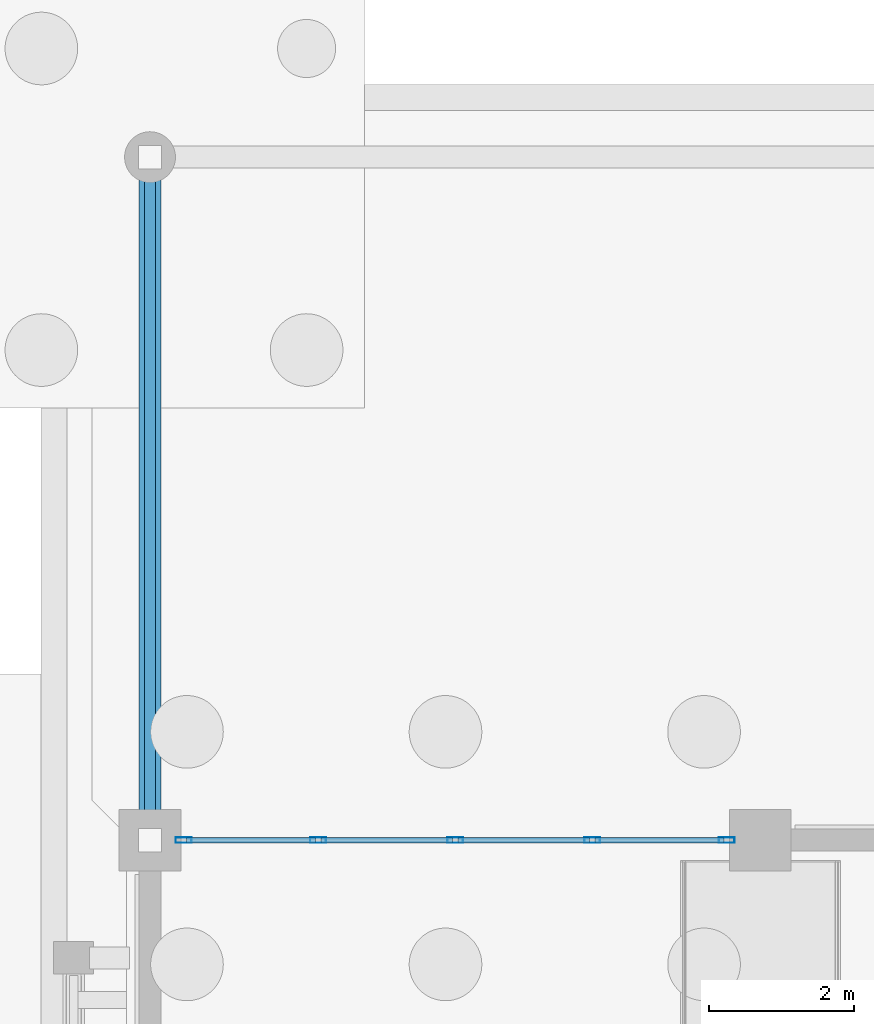
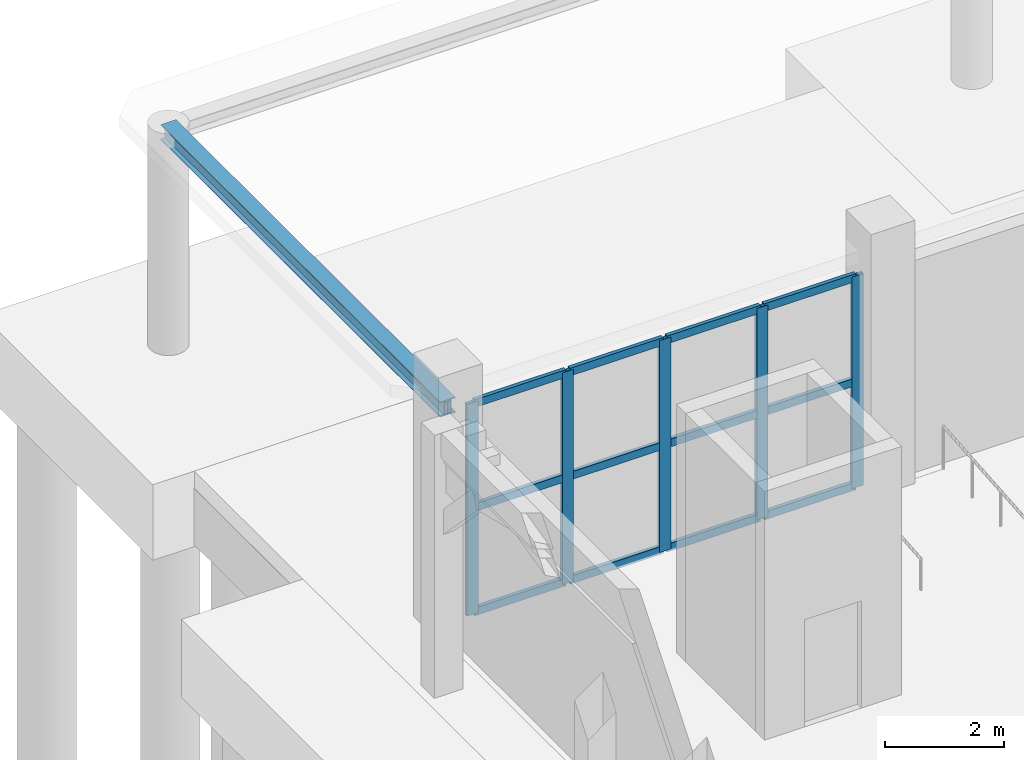
# One storey, part 31 of 98: 18 members, 1 beam, 1 element without a shape of its own.
"""IFC4 building model written with IfcOpenShell, lengths in metres."""

from ifc_helpers import new_model, si_unit, direction, frame, origin, origin_2d, place, context, subcontext, project, spatial, hollow_rectangle, i_section, extrude, material, layer, layer_set, material_profile, profile_set, type_object, element, aggregate, save


model = new_model("IFC4")

# Units and contexts
model_context = context("Model", 3, precision=1e-05, world=origin(), true_north=direction((0.0, 1.0)))
body_context = subcontext(model_context, "Body", "Model", "MODEL_VIEW")
ifc_project = project(units=[si_unit("LENGTHUNIT", "METRE"), si_unit("AREAUNIT", "SQUARE_METRE"), si_unit("VOLUMEUNIT", "CUBIC_METRE"), si_unit("PLANEANGLEUNIT", "RADIAN"), si_unit("MASSUNIT", "GRAM", prefix="KILO")], contexts=[model_context])

# Site, building, storey
site_placement = place(None, origin())
site = spatial("IfcSite", under=ifc_project, at=site_placement, CompositionType="ELEMENT")
building_placement = place(site_placement, origin())
building = spatial("IfcBuilding", under=site, at=building_placement, Name="Xazarin Passage Department Store", CompositionType="ELEMENT")
storey_placement = place(building_placement, origin())
storey = spatial("IfcBuildingStorey", under=building, at=storey_placement, Name="L00", CompositionType="ELEMENT", Elevation=0.0)

# Curtain wall, members
ifc_material_1 = material(Name="Bronze anodised aluminium", Category="aluminium")
ifc_layer = layer(ifc_material_1, 0.179931640625)
ifc_layer_set = layer_set([ifc_layer], Name="Bronze anodised aluminium")
curtain_wall_type = type_object("IfcCurtainWallType", Name="ARC-CW-VIT1", PredefinedType="NOTDEFINED", material=ifc_layer_set)
curtain_wall_placement = place(storey_placement, origin())
curtain_wall = element("IfcCurtainWall", 1, at=curtain_wall_placement, inside=storey, type_object=curtain_wall_type, Name="L00 V1 Curtain Wall 002", PredefinedType="NOTDEFINED")
ifc_material_profile_1 = material_profile(ifc_material_1, hollow_rectangle(XDim=0.074951171875, YDim=0.219970703125, WallThickness=0.0048828125, at=origin_2d()), Name="ALU 75x220")
ifc_profile_set_1 = profile_set([ifc_material_profile_1], Name="Bronze anodised aluminium")
member_type_1 = type_object("IfcMemberType", Name="ARC-CWM-75x220", PredefinedType="MULLION", material=ifc_profile_set_1)
member_1_placement = place(storey_placement, frame((0.46240234375, 101.60009765625, 0.0), z_axis=(0.0, 0.0, 1.0), x_axis=(0.0, 1.0, 0.0)))
member_1 = element("IfcMember", 2, at=member_1_placement, type_object=member_type_1, Name="CW1 mullion 1", PredefinedType="MULLION", context=body_context, shape_type="SweptSolid", body=[
    extrude(hollow_rectangle(XDim=0.074951171875, YDim=0.219970703125, WallThickness=0.0048828125, at=origin_2d()), origin(), (0.0, 0.0, 1.0), 4.35009765625),
])
member_2_placement = place(storey_placement, frame((2.3125, 101.60009765625, 0.0), z_axis=(0.0, 0.0, 1.0), x_axis=(0.0, 1.0, 0.0)))
member_2 = element("IfcMember", 3, at=member_2_placement, type_object=member_type_1, Name="CW1 mullion 2", PredefinedType="MULLION", context=body_context, shape_type="SweptSolid", body=[
    extrude(hollow_rectangle(XDim=0.074951171875, YDim=0.219970703125, WallThickness=0.0048828125, at=origin_2d()), origin(), (0.0, 0.0, 1.0), 4.35009765625),
])
member_3_placement = place(storey_placement, frame((4.199951171875, 101.60009765625, 0.0), z_axis=(0.0, 0.0, 1.0), x_axis=(0.0, 1.0, 0.0)))
member_3 = element("IfcMember", 4, at=member_3_placement, type_object=member_type_1, Name="CW1 mullion 3", PredefinedType="MULLION", context=body_context, shape_type="SweptSolid", body=[
    extrude(hollow_rectangle(XDim=0.074951171875, YDim=0.219970703125, WallThickness=0.0048828125, at=origin_2d()), origin(), (0.0, 0.0, 1.0), 4.35009765625),
])
member_4_placement = place(storey_placement, frame((6.08740234375, 101.60009765625, 0.0), z_axis=(0.0, 0.0, 1.0), x_axis=(0.0, 1.0, 0.0)))
member_4 = element("IfcMember", 5, at=member_4_placement, type_object=member_type_1, Name="CW1 mullion 4", PredefinedType="MULLION", context=body_context, shape_type="SweptSolid", body=[
    extrude(hollow_rectangle(XDim=0.074951171875, YDim=0.219970703125, WallThickness=0.0048828125, at=origin_2d()), origin(), (0.0, 0.0, 1.0), 4.35009765625),
])
member_5_placement = place(storey_placement, frame((7.9375, 101.60009765625, 0.0), z_axis=(0.0, 0.0, 1.0), x_axis=(0.0, 1.0, 0.0)))
member_5 = element("IfcMember", 6, at=member_5_placement, type_object=member_type_1, Name="CW1 mullion 5", PredefinedType="MULLION", context=body_context, shape_type="SweptSolid", body=[
    extrude(hollow_rectangle(XDim=0.074951171875, YDim=0.219970703125, WallThickness=0.0048828125, at=origin_2d()), origin(), (0.0, 0.0, 1.0), 4.35009765625),
])
ifc_material_profile_2 = material_profile(ifc_material_1, hollow_rectangle(XDim=0.074951171875, YDim=0.159912109375, WallThickness=0.00439453125, at=origin_2d()), Name="ALU 75x160")
ifc_profile_set_2 = profile_set([ifc_material_profile_2], Name="Bronze anodised aluminium")
member_type_2 = type_object("IfcMemberType", Name="ARC-CWT-75x160", PredefinedType="USERDEFINED", material=ifc_profile_set_2)
member_6_placement = place(storey_placement, frame((0.5, 101.60009765625, 0.03759765625), z_axis=(1.0, 0.0, 0.0), x_axis=(0.0, 1.0, 0.0)))
member_6 = element("IfcMember", 7, at=member_6_placement, type_object=member_type_2, Name="CW1 transom 1.1", ObjectType="TRANSOM", PredefinedType="USERDEFINED", context=body_context, shape_type="SweptSolid", body=[
    extrude(hollow_rectangle(XDim=0.074951171875, YDim=0.159912109375, WallThickness=0.00439453125, at=origin_2d()), origin(), (0.0, 0.0, 1.0), 1.77490234375),
])
member_7_placement = place(storey_placement, frame((0.5, 101.60009765625, 2.175048828125), z_axis=(1.0, 0.0, 0.0), x_axis=(0.0, 1.0, 0.0)))
member_7 = element("IfcMember", 8, at=member_7_placement, type_object=member_type_2, Name="CW1 transom 1.2", ObjectType="TRANSOM", PredefinedType="USERDEFINED", context=body_context, shape_type="SweptSolid", body=[
    extrude(hollow_rectangle(XDim=0.074951171875, YDim=0.159912109375, WallThickness=0.00439453125, at=origin_2d()), origin(), (0.0, 0.0, 1.0), 1.77490234375),
])
member_8_placement = place(storey_placement, frame((0.5, 101.60009765625, 4.3125), z_axis=(1.0, 0.0, 0.0), x_axis=(0.0, 1.0, 0.0)))
member_8 = element("IfcMember", 9, at=member_8_placement, type_object=member_type_2, Name="CW1 transom 1.3", ObjectType="TRANSOM", PredefinedType="USERDEFINED", context=body_context, shape_type="SweptSolid", body=[
    extrude(hollow_rectangle(XDim=0.074951171875, YDim=0.159912109375, WallThickness=0.00439453125, at=origin_2d()), origin(), (0.0, 0.0, 1.0), 1.77490234375),
])
member_9_placement = place(storey_placement, frame((2.35009765625, 101.60009765625, 0.03759765625), z_axis=(1.0, 0.0, 0.0), x_axis=(0.0, 1.0, 0.0)))
member_9 = element("IfcMember", 10, at=member_9_placement, type_object=member_type_2, Name="CW1 transom 2.1", ObjectType="TRANSOM", PredefinedType="USERDEFINED", context=body_context, shape_type="SweptSolid", body=[
    extrude(hollow_rectangle(XDim=0.074951171875, YDim=0.159912109375, WallThickness=0.00439453125, at=origin_2d()), origin(), (0.0, 0.0, 1.0), 1.8125),
])
member_10_placement = place(storey_placement, frame((2.35009765625, 101.60009765625, 2.175048828125), z_axis=(1.0, 0.0, 0.0), x_axis=(0.0, 1.0, 0.0)))
member_10 = element("IfcMember", 11, at=member_10_placement, type_object=member_type_2, Name="CW1 transom 2.2", ObjectType="TRANSOM", PredefinedType="USERDEFINED", context=body_context, shape_type="SweptSolid", body=[
    extrude(hollow_rectangle(XDim=0.074951171875, YDim=0.159912109375, WallThickness=0.00439453125, at=origin_2d()), origin(), (0.0, 0.0, 1.0), 1.8125),
])
member_11_placement = place(storey_placement, frame((2.35009765625, 101.60009765625, 4.3125), z_axis=(1.0, 0.0, 0.0), x_axis=(0.0, 1.0, 0.0)))
member_11 = element("IfcMember", 12, at=member_11_placement, type_object=member_type_2, Name="CW1 transom 2.3", ObjectType="TRANSOM", PredefinedType="USERDEFINED", context=body_context, shape_type="SweptSolid", body=[
    extrude(hollow_rectangle(XDim=0.074951171875, YDim=0.159912109375, WallThickness=0.00439453125, at=origin_2d()), origin(), (0.0, 0.0, 1.0), 1.8125),
])
member_12_placement = place(storey_placement, frame((4.237548828125, 101.60009765625, 0.03759765625), z_axis=(1.0, 0.0, 0.0), x_axis=(0.0, 1.0, 0.0)))
member_12 = element("IfcMember", 13, at=member_12_placement, type_object=member_type_2, Name="CW1 transom 3.1", ObjectType="TRANSOM", PredefinedType="USERDEFINED", context=body_context, shape_type="SweptSolid", body=[
    extrude(hollow_rectangle(XDim=0.074951171875, YDim=0.159912109375, WallThickness=0.00439453125, at=origin_2d()), origin(), (0.0, 0.0, 1.0), 1.8125),
])
member_13_placement = place(storey_placement, frame((4.237548828125, 101.60009765625, 2.175048828125), z_axis=(1.0, 0.0, 0.0), x_axis=(0.0, 1.0, 0.0)))
member_13 = element("IfcMember", 14, at=member_13_placement, type_object=member_type_2, Name="CW1 transom 3.2", ObjectType="TRANSOM", PredefinedType="USERDEFINED", context=body_context, shape_type="SweptSolid", body=[
    extrude(hollow_rectangle(XDim=0.074951171875, YDim=0.159912109375, WallThickness=0.00439453125, at=origin_2d()), origin(), (0.0, 0.0, 1.0), 1.8125),
])
member_14_placement = place(storey_placement, frame((4.237548828125, 101.60009765625, 4.3125), z_axis=(1.0, 0.0, 0.0), x_axis=(0.0, 1.0, 0.0)))
member_14 = element("IfcMember", 15, at=member_14_placement, type_object=member_type_2, Name="CW1 transom 3.3", ObjectType="TRANSOM", PredefinedType="USERDEFINED", context=body_context, shape_type="SweptSolid", body=[
    extrude(hollow_rectangle(XDim=0.074951171875, YDim=0.159912109375, WallThickness=0.00439453125, at=origin_2d()), origin(), (0.0, 0.0, 1.0), 1.8125),
])
member_15_placement = place(storey_placement, frame((6.125, 101.60009765625, 0.03759765625), z_axis=(1.0, 0.0, 0.0), x_axis=(0.0, 1.0, 0.0)))
member_15 = element("IfcMember", 16, at=member_15_placement, type_object=member_type_2, Name="CW1 transom 4.1", ObjectType="TRANSOM", PredefinedType="USERDEFINED", context=body_context, shape_type="SweptSolid", body=[
    extrude(hollow_rectangle(XDim=0.074951171875, YDim=0.159912109375, WallThickness=0.00439453125, at=origin_2d()), origin(), (0.0, 0.0, 1.0), 1.77490234375),
])
member_16_placement = place(storey_placement, frame((6.125, 101.60009765625, 2.175048828125), z_axis=(1.0, 0.0, 0.0), x_axis=(0.0, 1.0, 0.0)))
member_16 = element("IfcMember", 17, at=member_16_placement, type_object=member_type_2, Name="CW1 transom 4.2", ObjectType="TRANSOM", PredefinedType="USERDEFINED", context=body_context, shape_type="SweptSolid", body=[
    extrude(hollow_rectangle(XDim=0.074951171875, YDim=0.159912109375, WallThickness=0.00439453125, at=origin_2d()), origin(), (0.0, 0.0, 1.0), 1.77490234375),
])
member_17_placement = place(storey_placement, frame((6.125, 101.60009765625, 4.3125), z_axis=(1.0, 0.0, 0.0), x_axis=(0.0, 1.0, 0.0)))
member_17 = element("IfcMember", 18, at=member_17_placement, type_object=member_type_2, Name="CW1 transom 4.3", ObjectType="TRANSOM", PredefinedType="USERDEFINED", context=body_context, shape_type="SweptSolid", body=[
    extrude(hollow_rectangle(XDim=0.074951171875, YDim=0.159912109375, WallThickness=0.00439453125, at=origin_2d()), origin(), (0.0, 0.0, 1.0), 1.77490234375),
])
aggregate(curtain_wall, [member_1, member_2, member_3, member_4, member_5, member_6, member_7, member_8, member_9, member_10, member_11, member_12, member_13, member_14, member_15, member_16, member_17])

# Beam
ifc_material_2 = material(Name="Steel S355", Category="steel")
ifc_material_profile_3 = material_profile(ifc_material_2, i_section(OverallWidth=0.300048828125, OverallDepth=0.31005859375, WebThickness=0.009033203125, FlangeThickness=0.015380859375, FilletRadius=0.027099609375, at=origin_2d()), Name="HEA 320")
ifc_profile_set_3 = profile_set([ifc_material_profile_3], Name="Steel S355")
beam_type = type_object("IfcBeamType", Name="STR-BM-CAN320", PredefinedType="BEAM", material=ifc_profile_set_3)
beam_placement = place(storey_placement, frame((0.0, 101.60009765625, 4.39501953125), z_axis=(0.0, 1.0, 0.0), x_axis=(-1.0, 0.0, 0.0)))
element("IfcBeam", 19, at=beam_placement, inside=storey, type_object=beam_type, Name="Entrance Canopy Frame Beam CN1-1", PredefinedType="BEAM", context=body_context, shape_type="SweptSolid", body=[
    extrude(i_section(OverallWidth=0.300048828125, OverallDepth=0.31005859375, WebThickness=0.009033203125, FlangeThickness=0.015380859375, FilletRadius=0.027099609375, at=origin_2d()), origin(), (0.0, 0.0, 1.0), 9.39990234375),
])

# Member
ifc_material_profile_4 = material_profile(ifc_material_2, hollow_rectangle(XDim=0.14990234375, YDim=0.25, WallThickness=0.010009765625, at=origin_2d()), Name="RHS 250x150x10")
ifc_profile_set_4 = profile_set([ifc_material_profile_4], Name="Steel S355")
member_type_3 = type_object("IfcMemberType", Name="STR-MEM-CH250", PredefinedType="CHORD", material=ifc_profile_set_4)
member_18_placement = place(storey_placement, frame((0.0, 101.60009765625, 4.389892578125), z_axis=(0.0, 1.0, 0.0), x_axis=(-1.0, 0.0, 0.0)))
element("IfcMember", 20, at=member_18_placement, inside=storey, type_object=member_type_3, Name="Entrance Canopy Outrigger Chord CN1-1", PredefinedType="CHORD", context=body_context, shape_type="SweptSolid", body=[
    extrude(hollow_rectangle(XDim=0.14990234375, YDim=0.25, WallThickness=0.010009765625, at=origin_2d()), origin(), (0.0, 0.0, 1.0), 9.39990234375),
])

save(model, "model.ifc")
